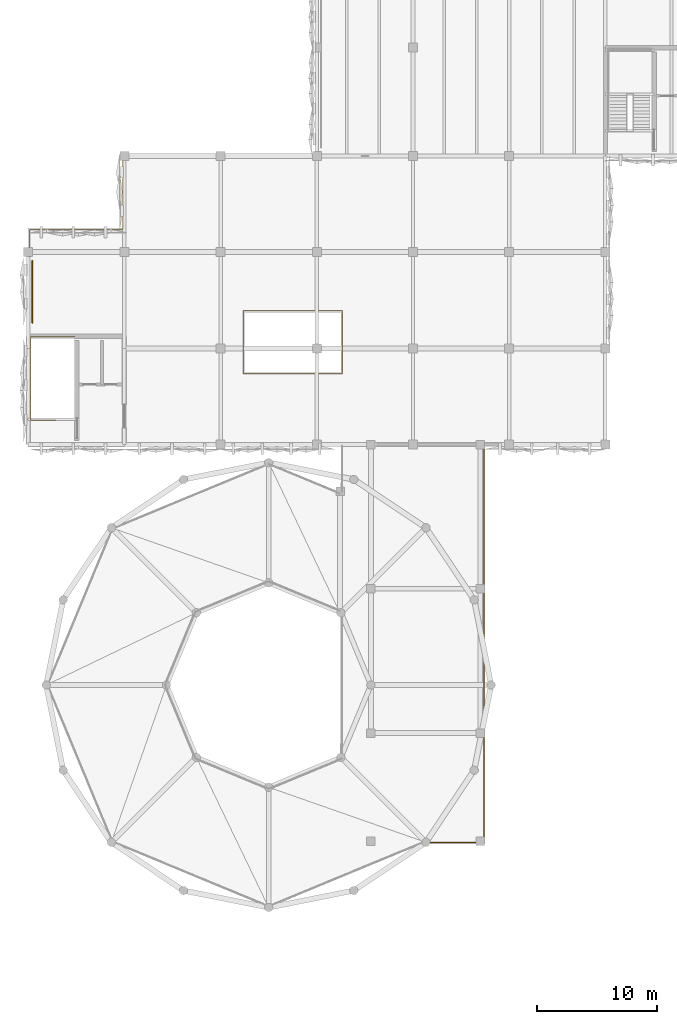
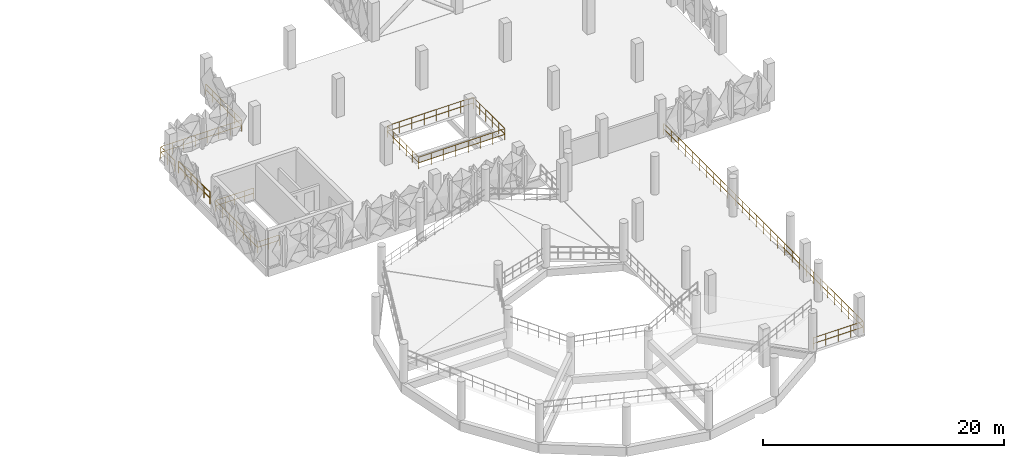
# One storey, part 73 of 83: 5 railings.
"""IFC4 building model written with IfcOpenShell, lengths in metres."""

import ifcopenshell
import ifcopenshell.guid

model = None  # the IFC model being written
_history = None  # IfcOwnerHistory: only IFC2X3 demands one
_inside = {}  # id of a spatial element -> (the spatial element, [elements in it])
_under = {}  # id of a project, library or spatial element -> (it, [spatial elements below it])
_declared = {}  # id of a project -> (the project, [libraries it declares])
_typed = {}  # id of a type object -> (the type object, [elements of that type])
_made_of = {}  # id of a material, layer set ... -> (it, [elements and type objects made of it])


def new_model(schema):
    """Start an empty IFC model of exactly this schema.

    Asked for "IFC4X3", IfcOpenShell would pick the latest addendum, in which some entities
    have other attributes; the version numbers below select the first issue.
    IFC2X3 requires an IfcOwnerHistory on every rooted entity: one is made here for all.
    """
    global model, _history
    if schema == "IFC4X3":
        model = ifcopenshell.file(schema_version=(4, 3, 0, 0))
    else:
        model = ifcopenshell.file(schema=schema)
    _inside.clear()
    _under.clear()
    _declared.clear()
    _typed.clear()
    _made_of.clear()
    _history = None
    if model.schema == "IFC2X3":
        org = make("IfcOrganization", Name="unknown")
        user = make(
            "IfcPersonAndOrganization",
            ThePerson=make("IfcPerson", FamilyName="unknown"),
            TheOrganization=org,
        )
        app = make(
            "IfcApplication",
            ApplicationDeveloper=org,
            Version="unknown",
            ApplicationFullName="unknown",
            ApplicationIdentifier="unknown",
        )
        _history = make(
            "IfcOwnerHistory",
            OwningUser=user,
            OwningApplication=app,
            ChangeAction="ADDED",
            CreationDate=0,
        )
    return model


def make(cls, **values):
    """One entity of the class cls with the attributes given. An attribute that is None is left unset."""
    return model.create_entity(
        cls, **{name: value for name, value in values.items() if value is not None}
    )


def rooted(cls, **values):
    """An entity with a GlobalId (a new one), such as an element, a storey or a relation."""
    return make(cls, GlobalId=ifcopenshell.guid.new(), OwnerHistory=_history, **values)


def si_unit(unit_type, name, prefix=None):
    """IfcSIUnit, for example si_unit("LENGTHUNIT", "METRE", prefix="MILLI")."""
    return make("IfcSIUnit", UnitType=unit_type, Prefix=prefix, Name=name)


def derived_unit(unit_type, elements):
    """IfcDerivedUnit: a product of units, each with its exponent."""
    return make(
        "IfcDerivedUnit",
        Elements=[
            make("IfcDerivedUnitElement", Unit=unit, Exponent=power)
            for unit, power in elements
        ],
        UnitType=unit_type,
    )


def assignment(units):
    """IfcUnitAssignment: the units of a project."""
    return None if units is None else make("IfcUnitAssignment", Units=units)


def point(xyz):
    """IfcCartesianPoint."""
    return None if xyz is None else make("IfcCartesianPoint", Coordinates=xyz)


def direction(xyz):
    """IfcDirection."""
    return None if xyz is None else make("IfcDirection", DirectionRatios=xyz)


def frame(location, z_axis=None, x_axis=None):
    """IfcAxis2Placement3D, a coordinate frame: its origin and axes. An axis left out is left unset."""
    return make(
        "IfcAxis2Placement3D",
        Location=point(location),
        Axis=direction(z_axis),
        RefDirection=direction(x_axis),
    )


def frame_2d(location, x_axis=None):
    """IfcAxis2Placement2D, a coordinate frame in the plane: its origin and x axis."""
    return make(
        "IfcAxis2Placement2D", Location=point(location), RefDirection=direction(x_axis)
    )


def origin():
    """The frame at (0, 0, 0) with its axes left unset."""
    return frame((0.0, 0.0, 0.0))


def origin_2d():
    """The frame at (0, 0) in the plane with its x axis left unset."""
    return frame_2d((0.0, 0.0))


def place(relative_to, where):
    """IfcLocalPlacement: puts the frame where relative to a parent placement (None: the world)."""
    return make(
        "IfcLocalPlacement", PlacementRelTo=relative_to, RelativePlacement=where
    )


def context(
    kind, dimensions, precision=None, world=None, true_north=None, identifier=None
):
    """IfcGeometricRepresentationContext, for example the 3D "Model" context."""
    return make(
        "IfcGeometricRepresentationContext",
        ContextIdentifier=identifier,
        ContextType=kind,
        CoordinateSpaceDimension=dimensions,
        Precision=precision,
        WorldCoordinateSystem=world,
        TrueNorth=true_north,
    )


def subcontext(parent, identifier, kind, view, scale=None):
    """IfcGeometricRepresentationSubContext, for example "Body" below "Model"."""
    return make(
        "IfcGeometricRepresentationSubContext",
        ContextIdentifier=identifier,
        ContextType=kind,
        ParentContext=parent,
        TargetScale=scale,
        TargetView=view,
    )


def project(units=None, contexts=None):
    """IfcProject with its units and contexts."""
    return rooted(
        "IfcProject",
        Name="project",
        RepresentationContexts=contexts,
        UnitsInContext=assignment(units),
    )


def spatial(cls, under=None, at=None, **own):
    """A site, building, storey or space (cls), placed at a placement, below another one or the project."""
    s = rooted(cls, ObjectPlacement=at, **own)
    if under is not None:
        _under.setdefault(under.id(), (under, []))[1].append(s)
    return s


def profile(cls, at=None, kind="AREA", **sizes):
    """A parametric profile (cls). Its sizes go by their IFC names, for example OverallWidth=200.0."""
    return make(cls, ProfileType=kind, Position=at, **sizes)


def circle(**sizes):
    """IfcCircleProfileDef."""
    return profile("IfcCircleProfileDef", **sizes)


def extrude(swept, where, along, depth):
    """IfcExtrudedAreaSolid: the profile swept, set in the frame where, extruded along a direction by depth."""
    return make(
        "IfcExtrudedAreaSolid",
        SweptArea=swept,
        Position=where,
        ExtrudedDirection=direction(along),
        Depth=depth,
    )


def shape(context_of_items, identifier, shape_type, items):
    """IfcShapeRepresentation: the items that make up one representation, for example the "Body"."""
    return make(
        "IfcShapeRepresentation",
        ContextOfItems=context_of_items,
        RepresentationIdentifier=identifier,
        RepresentationType=shape_type,
        Items=items,
    )


def material(Name=None, Category=None):
    """IfcMaterial."""
    return make("IfcMaterial", Name=Name, Category=Category)


def made_of(thing, what):
    """Note that an element or type object is made of a material, layer set ...; save() writes the relation."""
    if what is not None:
        _made_of.setdefault(what.id(), (what, []))[1].append(thing)
    return thing


def type_object(cls, material=None, **own):
    """A type object (cls), such as IfcWallType, which elements share."""
    return made_of(rooted(cls, **own), material)


def element(
    cls,
    number,
    at=None,
    inside=None,
    cuts=None,
    type_object=None,
    material=None,
    context=None,
    identifier="Body",
    shape_type=None,
    held_by="IfcProductDefinitionShape",
    body=None,
    shapes=None,
    **own,
):
    """One element of the class cls, such as IfcWall. Its Tag is "e" and its number.

    at: its placement. inside: the storey or other place that contains it. cuts: it is an
    opening in that element (IfcRelVoidsElement). A single representation is given by context,
    identifier, shape_type and body (its items); several are given by shapes. held_by: the class
    of the entity that holds the representations. save() writes the other relations.
    """
    e = rooted(cls, Tag="e%d" % number, ObjectPlacement=at, **own)
    if body is not None:
        shapes = [shape(context, identifier, shape_type, body)]
    if shapes is not None:
        e.Representation = make(held_by, Representations=shapes)
    if inside is not None:
        _inside.setdefault(inside.id(), (inside, []))[1].append(e)
    if cuts is not None:
        rooted(
            "IfcRelVoidsElement", RelatingBuildingElement=cuts, RelatedOpeningElement=e
        )
    if type_object is not None:
        _typed.setdefault(type_object.id(), (type_object, []))[1].append(e)
    return made_of(e, material)


def aggregate(whole, parts):
    """IfcRelAggregates: a whole, such as a stair, and the parts it consists of."""
    return rooted("IfcRelAggregates", RelatingObject=whole, RelatedObjects=parts)


def save(model, path):
    """Write the relations noted so far, then the file.

    IfcRelAggregates (storeys below a building ...), IfcRelContainedInSpatialStructure (elements
    in a storey), IfcRelDefinesByType, IfcRelAssociatesMaterial and IfcRelDeclares: one each for
    every whole, place, type object, material and project.
    """
    for whole, parts in _under.values():
        aggregate(whole, parts)
    for where, things in _inside.values():
        rooted(
            "IfcRelContainedInSpatialStructure",
            RelatedElements=things,
            RelatingStructure=where,
        )
    for kind, things in _typed.values():
        rooted("IfcRelDefinesByType", RelatedObjects=things, RelatingType=kind)
    for what, things in _made_of.values():
        rooted("IfcRelAssociatesMaterial", RelatedObjects=things, RelatingMaterial=what)
    for by, libraries in _declared.values():
        rooted("IfcRelDeclares", RelatingContext=by, RelatedDefinitions=libraries)
    model.write(path)


model = new_model("IFC4")

# Units and contexts
model_context = context("Model", 3, precision=1e-05, world=origin(), true_north=direction((0.0, 1.0)))
body_context = subcontext(model_context, "Body", "Model", "MODEL_VIEW")
ifc_project = project(units=[si_unit("LENGTHUNIT", "METRE"), si_unit("AREAUNIT", "SQUARE_METRE"), si_unit("VOLUMEUNIT", "CUBIC_METRE"), si_unit("PLANEANGLEUNIT", "RADIAN"), si_unit("MASSUNIT", "GRAM", prefix="KILO"), si_unit("THERMODYNAMICTEMPERATUREUNIT", "KELVIN"), derived_unit("THERMALTRANSMITTANCEUNIT", [(si_unit("POWERUNIT", "WATT"), 1), (si_unit("AREAUNIT", "SQUARE_METRE"), -1), (si_unit("THERMODYNAMICTEMPERATUREUNIT", "KELVIN"), -1)])], contexts=[model_context])

# Site, building, storey
site_placement = place(None, origin())
site = spatial("IfcSite", under=ifc_project, at=site_placement, CompositionType="ELEMENT")
building_placement = place(site_placement, origin())
building = spatial("IfcBuilding", under=site, at=building_placement, Name="Haiyu Intermodal Mobility Hub", CompositionType="ELEMENT")
storey_placement = place(building_placement, frame((0.0, 0.0, 13.39990234375)))
storey = spatial("IfcBuildingStorey", under=building, at=storey_placement, Name="L03", CompositionType="ELEMENT", Elevation=13.39990234375)

# Railings
ifc_material = material(Name="Steel Q355C", Category="steel")
railing_type_1 = type_object("IfcRailingType", Name="RAL-GR01", PredefinedType="GUARDRAIL", material=ifc_material)
railing_1_placement = place(storey_placement, frame((47.10009765625, 46.89990234375, 0.0)))
element("IfcRailing", 1, at=railing_1_placement, inside=storey, type_object=railing_type_1, Name="L03 Ramp Arrival Deck South-East Guard", PredefinedType="GUARDRAIL", context=body_context, shape_type="SweptSolid", body=[
    extrude(circle(Radius=0.02392578125, at=origin_2d()), frame((0.030029296875, 0.0, 1.17578125), z_axis=(1.0, 0.0, 0.0), x_axis=(0.0, 1.0, 0.0)), (0.0, 0.0, 1.0), 4.73974609375),
    extrude(circle(Radius=0.02392578125, at=origin_2d()), frame((0.037353515625, 0.0, 0.60009765625), z_axis=(1.0, 0.0, 0.0), x_axis=(0.0, 1.0, 0.0)), (0.0, 0.0, 1.0), 1.125244140625),
    extrude(circle(Radius=0.02392578125, at=origin_2d()), frame((1.2373046875, 0.0, 0.60009765625), z_axis=(1.0, 0.0, 0.0), x_axis=(0.0, 1.0, 0.0)), (0.0, 0.0, 1.0), 1.125244140625),
    extrude(circle(Radius=0.02392578125, at=origin_2d()), frame((2.437255859375, 0.0, 0.60009765625), z_axis=(1.0, 0.0, 0.0), x_axis=(0.0, 1.0, 0.0)), (0.0, 0.0, 1.0), 1.125244140625),
    extrude(circle(Radius=0.02392578125, at=origin_2d()), frame((3.63720703125, 0.0, 0.60009765625), z_axis=(1.0, 0.0, 0.0), x_axis=(0.0, 1.0, 0.0)), (0.0, 0.0, 1.0), 1.125244140625),
    extrude(circle(Radius=0.02392578125, at=origin_2d()), frame((4.7998046875, 0.030029296875, 1.17578125), z_axis=(0.0, 1.0, 0.0), x_axis=(-1.0, 0.0, 0.0)), (0.0, 0.0, 1.0), 32.9599609375),
    extrude(circle(Radius=0.02392578125, at=origin_2d()), frame((4.7998046875, 0.037353515625, 0.60009765625), z_axis=(0.0, 1.0, 0.0), x_axis=(-1.0, 0.0, 0.0)), (0.0, 0.0, 1.0), 1.104736328125),
    extrude(circle(Radius=0.02392578125, at=origin_2d()), frame((4.7998046875, 1.216552734375, 0.60009765625), z_axis=(0.0, 1.0, 0.0), x_axis=(-1.0, 0.0, 0.0)), (0.0, 0.0, 1.0), 1.104736328125),
    extrude(circle(Radius=0.02392578125, at=origin_2d()), frame((4.7998046875, 2.395751953125, 0.60009765625), z_axis=(0.0, 1.0, 0.0), x_axis=(-1.0, 0.0, 0.0)), (0.0, 0.0, 1.0), 1.104736328125),
    extrude(circle(Radius=0.02392578125, at=origin_2d()), frame((4.7998046875, 3.5751953125, 0.60009765625), z_axis=(0.0, 1.0, 0.0), x_axis=(-1.0, 0.0, 0.0)), (0.0, 0.0, 1.0), 1.104736328125),
    extrude(circle(Radius=0.02392578125, at=origin_2d()), frame((4.7998046875, 4.75439453125, 0.60009765625), z_axis=(0.0, 1.0, 0.0), x_axis=(-1.0, 0.0, 0.0)), (0.0, 0.0, 1.0), 1.104736328125),
    extrude(circle(Radius=0.02392578125, at=origin_2d()), frame((4.7998046875, 5.933837890625, 0.60009765625), z_axis=(0.0, 1.0, 0.0), x_axis=(-1.0, 0.0, 0.0)), (0.0, 0.0, 1.0), 1.104736328125),
    extrude(circle(Radius=0.02392578125, at=origin_2d()), frame((4.7998046875, 7.113037109375, 0.60009765625), z_axis=(0.0, 1.0, 0.0), x_axis=(-1.0, 0.0, 0.0)), (0.0, 0.0, 1.0), 1.104736328125),
    extrude(circle(Radius=0.02392578125, at=origin_2d()), frame((4.7998046875, 8.292236328125, 0.60009765625), z_axis=(0.0, 1.0, 0.0), x_axis=(-1.0, 0.0, 0.0)), (0.0, 0.0, 1.0), 1.104736328125),
    extrude(circle(Radius=0.02392578125, at=origin_2d()), frame((4.7998046875, 9.4716796875, 0.60009765625), z_axis=(0.0, 1.0, 0.0), x_axis=(-1.0, 0.0, 0.0)), (0.0, 0.0, 1.0), 1.104736328125),
    extrude(circle(Radius=0.02392578125, at=origin_2d()), frame((4.7998046875, 10.65087890625, 0.60009765625), z_axis=(0.0, 1.0, 0.0), x_axis=(-1.0, 0.0, 0.0)), (0.0, 0.0, 1.0), 1.104736328125),
    extrude(circle(Radius=0.02392578125, at=origin_2d()), frame((4.7998046875, 11.830078125, 0.60009765625), z_axis=(0.0, 1.0, 0.0), x_axis=(-1.0, 0.0, 0.0)), (0.0, 0.0, 1.0), 1.104736328125),
    extrude(circle(Radius=0.02392578125, at=origin_2d()), frame((4.7998046875, 13.009521484375, 0.60009765625), z_axis=(0.0, 1.0, 0.0), x_axis=(-1.0, 0.0, 0.0)), (0.0, 0.0, 1.0), 1.104736328125),
    extrude(circle(Radius=0.02392578125, at=origin_2d()), frame((4.7998046875, 14.188720703125, 0.60009765625), z_axis=(0.0, 1.0, 0.0), x_axis=(-1.0, 0.0, 0.0)), (0.0, 0.0, 1.0), 1.104736328125),
    extrude(circle(Radius=0.02392578125, at=origin_2d()), frame((4.7998046875, 15.367919921875, 0.60009765625), z_axis=(0.0, 1.0, 0.0), x_axis=(-1.0, 0.0, 0.0)), (0.0, 0.0, 1.0), 1.104736328125),
    extrude(circle(Radius=0.02392578125, at=origin_2d()), frame((4.7998046875, 16.54736328125, 0.60009765625), z_axis=(0.0, 1.0, 0.0), x_axis=(-1.0, 0.0, 0.0)), (0.0, 0.0, 1.0), 1.104736328125),
    extrude(circle(Radius=0.02392578125, at=origin_2d()), frame((4.7998046875, 17.7265625, 0.60009765625), z_axis=(0.0, 1.0, 0.0), x_axis=(-1.0, 0.0, 0.0)), (0.0, 0.0, 1.0), 1.104736328125),
    extrude(circle(Radius=0.02392578125, at=origin_2d()), frame((4.7998046875, 18.90576171875, 0.60009765625), z_axis=(0.0, 1.0, 0.0), x_axis=(-1.0, 0.0, 0.0)), (0.0, 0.0, 1.0), 1.104736328125),
    extrude(circle(Radius=0.02392578125, at=origin_2d()), frame((4.7998046875, 20.085205078125, 0.60009765625), z_axis=(0.0, 1.0, 0.0), x_axis=(-1.0, 0.0, 0.0)), (0.0, 0.0, 1.0), 1.104736328125),
    extrude(circle(Radius=0.02392578125, at=origin_2d()), frame((4.7998046875, 21.264404296875, 0.60009765625), z_axis=(0.0, 1.0, 0.0), x_axis=(-1.0, 0.0, 0.0)), (0.0, 0.0, 1.0), 1.104736328125),
    extrude(circle(Radius=0.02392578125, at=origin_2d()), frame((4.7998046875, 22.44384765625, 0.60009765625), z_axis=(0.0, 1.0, 0.0), x_axis=(-1.0, 0.0, 0.0)), (0.0, 0.0, 1.0), 1.104736328125),
    extrude(circle(Radius=0.02392578125, at=origin_2d()), frame((4.7998046875, 23.623046875, 0.60009765625), z_axis=(0.0, 1.0, 0.0), x_axis=(-1.0, 0.0, 0.0)), (0.0, 0.0, 1.0), 1.104736328125),
    extrude(circle(Radius=0.02392578125, at=origin_2d()), frame((4.7998046875, 24.80224609375, 0.60009765625), z_axis=(0.0, 1.0, 0.0), x_axis=(-1.0, 0.0, 0.0)), (0.0, 0.0, 1.0), 1.104736328125),
    extrude(circle(Radius=0.02392578125, at=origin_2d()), frame((4.7998046875, 25.981689453125, 0.60009765625), z_axis=(0.0, 1.0, 0.0), x_axis=(-1.0, 0.0, 0.0)), (0.0, 0.0, 1.0), 1.104736328125),
    extrude(circle(Radius=0.02392578125, at=origin_2d()), frame((4.7998046875, 27.160888671875, 0.60009765625), z_axis=(0.0, 1.0, 0.0), x_axis=(-1.0, 0.0, 0.0)), (0.0, 0.0, 1.0), 1.104736328125),
    extrude(circle(Radius=0.02392578125, at=origin_2d()), frame((4.7998046875, 28.340087890625, 0.60009765625), z_axis=(0.0, 1.0, 0.0), x_axis=(-1.0, 0.0, 0.0)), (0.0, 0.0, 1.0), 1.104736328125),
    extrude(circle(Radius=0.02392578125, at=origin_2d()), frame((4.7998046875, 29.51953125, 0.60009765625), z_axis=(0.0, 1.0, 0.0), x_axis=(-1.0, 0.0, 0.0)), (0.0, 0.0, 1.0), 1.104736328125),
    extrude(circle(Radius=0.02392578125, at=origin_2d()), frame((4.7998046875, 30.69873046875, 0.60009765625), z_axis=(0.0, 1.0, 0.0), x_axis=(-1.0, 0.0, 0.0)), (0.0, 0.0, 1.0), 1.104736328125),
    extrude(circle(Radius=0.02392578125, at=origin_2d()), frame((4.7998046875, 31.8779296875, 0.60009765625), z_axis=(0.0, 1.0, 0.0), x_axis=(-1.0, 0.0, 0.0)), (0.0, 0.0, 1.0), 1.104736328125),
    extrude(circle(Radius=0.02099609375, at=origin_2d()), origin(), (0.0, 0.0, 1.0), 1.143798828125),
    extrude(circle(Radius=0.02099609375, at=origin_2d()), frame((1.199951171875, 0.0, 0.0)), (0.0, 0.0, 1.0), 1.143798828125),
    extrude(circle(Radius=0.02099609375, at=origin_2d()), frame((2.39990234375, 0.0, 0.0)), (0.0, 0.0, 1.0), 1.143798828125),
    extrude(circle(Radius=0.02099609375, at=origin_2d()), frame((3.599853515625, 0.0, 0.0)), (0.0, 0.0, 1.0), 1.143798828125),
    extrude(circle(Radius=0.02099609375, at=origin_2d()), frame((4.7998046875, 0.0, 0.0)), (0.0, 0.0, 1.0), 1.143798828125),
    extrude(circle(Radius=0.02099609375, at=origin_2d()), frame((4.7998046875, 1.17919921875, 0.0)), (0.0, 0.0, 1.0), 1.143798828125),
    extrude(circle(Radius=0.02099609375, at=origin_2d()), frame((4.7998046875, 2.358642578125, 0.0)), (0.0, 0.0, 1.0), 1.143798828125),
    extrude(circle(Radius=0.02099609375, at=origin_2d()), frame((4.7998046875, 3.537841796875, 0.0)), (0.0, 0.0, 1.0), 1.143798828125),
    extrude(circle(Radius=0.02099609375, at=origin_2d()), frame((4.7998046875, 4.717041015625, 0.0)), (0.0, 0.0, 1.0), 1.143798828125),
    extrude(circle(Radius=0.02099609375, at=origin_2d()), frame((4.7998046875, 5.896484375, 0.0)), (0.0, 0.0, 1.0), 1.143798828125),
    extrude(circle(Radius=0.02099609375, at=origin_2d()), frame((4.7998046875, 7.07568359375, 0.0)), (0.0, 0.0, 1.0), 1.143798828125),
    extrude(circle(Radius=0.02099609375, at=origin_2d()), frame((4.7998046875, 8.2548828125, 0.0)), (0.0, 0.0, 1.0), 1.143798828125),
    extrude(circle(Radius=0.02099609375, at=origin_2d()), frame((4.7998046875, 9.434326171875, 0.0)), (0.0, 0.0, 1.0), 1.143798828125),
    extrude(circle(Radius=0.02099609375, at=origin_2d()), frame((4.7998046875, 10.613525390625, 0.0)), (0.0, 0.0, 1.0), 1.143798828125),
    extrude(circle(Radius=0.02099609375, at=origin_2d()), frame((4.7998046875, 11.79296875, 0.0)), (0.0, 0.0, 1.0), 1.143798828125),
    extrude(circle(Radius=0.02099609375, at=origin_2d()), frame((4.7998046875, 12.97216796875, 0.0)), (0.0, 0.0, 1.0), 1.143798828125),
    extrude(circle(Radius=0.02099609375, at=origin_2d()), frame((4.7998046875, 14.1513671875, 0.0)), (0.0, 0.0, 1.0), 1.143798828125),
    extrude(circle(Radius=0.02099609375, at=origin_2d()), frame((4.7998046875, 15.330810546875, 0.0)), (0.0, 0.0, 1.0), 1.143798828125),
    extrude(circle(Radius=0.02099609375, at=origin_2d()), frame((4.7998046875, 16.510009765625, 0.0)), (0.0, 0.0, 1.0), 1.143798828125),
    extrude(circle(Radius=0.02099609375, at=origin_2d()), frame((4.7998046875, 17.689208984375, 0.0)), (0.0, 0.0, 1.0), 1.143798828125),
    extrude(circle(Radius=0.02099609375, at=origin_2d()), frame((4.7998046875, 18.86865234375, 0.0)), (0.0, 0.0, 1.0), 1.143798828125),
    extrude(circle(Radius=0.02099609375, at=origin_2d()), frame((4.7998046875, 20.0478515625, 0.0)), (0.0, 0.0, 1.0), 1.143798828125),
    extrude(circle(Radius=0.02099609375, at=origin_2d()), frame((4.7998046875, 21.22705078125, 0.0)), (0.0, 0.0, 1.0), 1.143798828125),
    extrude(circle(Radius=0.02099609375, at=origin_2d()), frame((4.7998046875, 22.406494140625, 0.0)), (0.0, 0.0, 1.0), 1.143798828125),
    extrude(circle(Radius=0.02099609375, at=origin_2d()), frame((4.7998046875, 23.585693359375, 0.0)), (0.0, 0.0, 1.0), 1.143798828125),
    extrude(circle(Radius=0.02099609375, at=origin_2d()), frame((4.7998046875, 24.76513671875, 0.0)), (0.0, 0.0, 1.0), 1.143798828125),
    extrude(circle(Radius=0.02099609375, at=origin_2d()), frame((4.7998046875, 25.9443359375, 0.0)), (0.0, 0.0, 1.0), 1.143798828125),
    extrude(circle(Radius=0.02099609375, at=origin_2d()), frame((4.7998046875, 27.12353515625, 0.0)), (0.0, 0.0, 1.0), 1.143798828125),
    extrude(circle(Radius=0.02099609375, at=origin_2d()), frame((4.7998046875, 28.302978515625, 0.0)), (0.0, 0.0, 1.0), 1.143798828125),
    extrude(circle(Radius=0.02099609375, at=origin_2d()), frame((4.7998046875, 29.482177734375, 0.0)), (0.0, 0.0, 1.0), 1.143798828125),
    extrude(circle(Radius=0.02099609375, at=origin_2d()), frame((4.7998046875, 30.661376953125, 0.0)), (0.0, 0.0, 1.0), 1.143798828125),
    extrude(circle(Radius=0.02099609375, at=origin_2d()), frame((4.7998046875, 31.8408203125, 0.0)), (0.0, 0.0, 1.0), 1.143798828125),
    extrude(circle(Radius=0.02099609375, at=origin_2d()), frame((4.7998046875, 33.02001953125, 0.0)), (0.0, 0.0, 1.0), 1.143798828125),
])
railing_2_placement = place(storey_placement, frame((14.340087890625, 95.300048828125, 0.0)))
element("IfcRailing", 2, at=railing_2_placement, inside=storey, type_object=railing_type_1, Name="RAL-CAR-WW-0094", PredefinedType="GUARDRAIL", context=body_context, shape_type="SweptSolid", body=[
    extrude(circle(Radius=0.02392578125, at=origin_2d()), frame((0.0, -0.030029296875, 1.17578125), z_axis=(0.0, -1.0, 0.0), x_axis=(1.0, 0.0, 0.0)), (0.0, 0.0, 1.0), 5.139892578125),
    extrude(circle(Radius=0.02392578125, at=origin_2d()), frame((0.0, -0.037353515625, 0.60009765625), z_axis=(0.0, -1.0, 0.0), x_axis=(1.0, 0.0, 0.0)), (0.0, 0.0, 1.0), 0.96533203125),
    extrude(circle(Radius=0.02392578125, at=origin_2d()), frame((0.0, -1.077392578125, 0.60009765625), z_axis=(0.0, -1.0, 0.0), x_axis=(1.0, 0.0, 0.0)), (0.0, 0.0, 1.0), 0.96533203125),
    extrude(circle(Radius=0.02392578125, at=origin_2d()), frame((0.0, -2.1171875, 0.60009765625), z_axis=(0.0, -1.0, 0.0), x_axis=(1.0, 0.0, 0.0)), (0.0, 0.0, 1.0), 0.96533203125),
    extrude(circle(Radius=0.02392578125, at=origin_2d()), frame((0.0, -3.1572265625, 0.60009765625), z_axis=(0.0, -1.0, 0.0), x_axis=(1.0, 0.0, 0.0)), (0.0, 0.0, 1.0), 0.96533203125),
    extrude(circle(Radius=0.02392578125, at=origin_2d()), frame((0.0, -4.197265625, 0.60009765625), z_axis=(0.0, -1.0, 0.0), x_axis=(1.0, 0.0, 0.0)), (0.0, 0.0, 1.0), 0.96533203125),
    extrude(circle(Radius=0.02099609375, at=origin_2d()), origin(), (0.0, 0.0, 1.0), 1.143798828125),
    extrude(circle(Radius=0.02099609375, at=origin_2d()), frame((0.0, -1.0400390625, 0.0)), (0.0, 0.0, 1.0), 1.143798828125),
    extrude(circle(Radius=0.02099609375, at=origin_2d()), frame((0.0, -2.080078125, 0.0)), (0.0, 0.0, 1.0), 1.143798828125),
    extrude(circle(Radius=0.02099609375, at=origin_2d()), frame((0.0, -3.119873046875, 0.0)), (0.0, 0.0, 1.0), 1.143798828125),
    extrude(circle(Radius=0.02099609375, at=origin_2d()), frame((0.0, -4.159912109375, 0.0)), (0.0, 0.0, 1.0), 1.143798828125),
    extrude(circle(Radius=0.02099609375, at=origin_2d()), frame((0.0, -5.199951171875, 0.0)), (0.0, 0.0, 1.0), 1.143798828125),
])
railing_3_placement = place(storey_placement, frame((14.1201171875, 95.60009765625, 0.0)))
element("IfcRailing", 3, at=railing_3_placement, inside=storey, type_object=railing_type_1, Name="RAL-V4WNW-L03", PredefinedType="GUARDRAIL", context=body_context, shape_type="SweptSolid", body=[
    extrude(circle(Radius=0.02392578125, at=origin_2d()), frame((0.0, 0.030029296875, 1.15576171875), z_axis=(0.0, 1.0, 0.0), x_axis=(-1.0, 0.0, 0.0)), (0.0, 0.0, 1.0), 2.2197265625),
    extrude(circle(Radius=0.02392578125, at=origin_2d()), frame((0.0, 0.037353515625, 0.58984375), z_axis=(0.0, 1.0, 0.0), x_axis=(-1.0, 0.0, 0.0)), (0.0, 0.0, 1.0), 1.065185546875),
    extrude(circle(Radius=0.02392578125, at=origin_2d()), frame((0.0, 1.17724609375, 0.58984375), z_axis=(0.0, 1.0, 0.0), x_axis=(-1.0, 0.0, 0.0)), (0.0, 0.0, 1.0), 1.065185546875),
    extrude(circle(Radius=0.02392578125, at=origin_2d()), frame((0.030029296875, 2.27978515625, 1.15576171875), z_axis=(1.0, 0.0, 0.0), x_axis=(0.0, 1.0, 0.0)), (0.0, 0.0, 1.0), 7.69970703125),
    extrude(circle(Radius=0.02392578125, at=origin_2d()), frame((0.037353515625, 2.27978515625, 0.58984375), z_axis=(1.0, 0.0, 0.0), x_axis=(0.0, 1.0, 0.0)), (0.0, 0.0, 1.0), 1.033935546875),
    extrude(circle(Radius=0.02392578125, at=origin_2d()), frame((1.145751953125, 2.27978515625, 0.58984375), z_axis=(1.0, 0.0, 0.0), x_axis=(0.0, 1.0, 0.0)), (0.0, 0.0, 1.0), 1.033935546875),
    extrude(circle(Radius=0.02392578125, at=origin_2d()), frame((2.25439453125, 2.27978515625, 0.58984375), z_axis=(1.0, 0.0, 0.0), x_axis=(0.0, 1.0, 0.0)), (0.0, 0.0, 1.0), 1.033935546875),
    extrude(circle(Radius=0.02392578125, at=origin_2d()), frame((3.36279296875, 2.27978515625, 0.58984375), z_axis=(1.0, 0.0, 0.0), x_axis=(0.0, 1.0, 0.0)), (0.0, 0.0, 1.0), 1.033935546875),
    extrude(circle(Radius=0.02392578125, at=origin_2d()), frame((4.471435546875, 2.27978515625, 0.58984375), z_axis=(1.0, 0.0, 0.0), x_axis=(0.0, 1.0, 0.0)), (0.0, 0.0, 1.0), 1.033935546875),
    extrude(circle(Radius=0.02392578125, at=origin_2d()), frame((5.580078125, 2.27978515625, 0.58984375), z_axis=(1.0, 0.0, 0.0), x_axis=(0.0, 1.0, 0.0)), (0.0, 0.0, 1.0), 1.033935546875),
    extrude(circle(Radius=0.02392578125, at=origin_2d()), frame((6.6884765625, 2.27978515625, 0.58984375), z_axis=(1.0, 0.0, 0.0), x_axis=(0.0, 1.0, 0.0)), (0.0, 0.0, 1.0), 1.033935546875),
    extrude(circle(Radius=0.02392578125, at=origin_2d()), frame((7.759765625, 2.309814453125, 1.15576171875), z_axis=(0.0, 1.0, 0.0), x_axis=(-1.0, 0.0, 0.0)), (0.0, 0.0, 1.0), 5.93994140625),
    extrude(circle(Radius=0.02392578125, at=origin_2d()), frame((7.759765625, 2.317138671875, 0.58984375), z_axis=(0.0, 1.0, 0.0), x_axis=(-1.0, 0.0, 0.0)), (0.0, 0.0, 1.0), 1.12548828125),
    extrude(circle(Radius=0.02392578125, at=origin_2d()), frame((7.759765625, 3.51708984375, 0.58984375), z_axis=(0.0, 1.0, 0.0), x_axis=(-1.0, 0.0, 0.0)), (0.0, 0.0, 1.0), 1.12548828125),
    extrude(circle(Radius=0.02392578125, at=origin_2d()), frame((7.759765625, 4.717041015625, 0.58984375), z_axis=(0.0, 1.0, 0.0), x_axis=(-1.0, 0.0, 0.0)), (0.0, 0.0, 1.0), 1.12548828125),
    extrude(circle(Radius=0.02392578125, at=origin_2d()), frame((7.759765625, 5.9169921875, 0.58984375), z_axis=(0.0, 1.0, 0.0), x_axis=(-1.0, 0.0, 0.0)), (0.0, 0.0, 1.0), 1.12548828125),
    extrude(circle(Radius=0.02392578125, at=origin_2d()), frame((7.759765625, 7.1171875, 0.58984375), z_axis=(0.0, 1.0, 0.0), x_axis=(-1.0, 0.0, 0.0)), (0.0, 0.0, 1.0), 1.12548828125),
    extrude(circle(Radius=0.02099609375, at=origin_2d()), origin(), (0.0, 0.0, 1.0), 1.123779296875),
    extrude(circle(Radius=0.02099609375, at=origin_2d()), frame((0.0, 1.139892578125, 0.0)), (0.0, 0.0, 1.0), 1.123779296875),
    extrude(circle(Radius=0.02099609375, at=origin_2d()), frame((0.0, 2.27978515625, 0.0)), (0.0, 0.0, 1.0), 1.123779296875),
    extrude(circle(Radius=0.02099609375, at=origin_2d()), frame((1.108642578125, 2.27978515625, 0.0)), (0.0, 0.0, 1.0), 1.123779296875),
    extrude(circle(Radius=0.02099609375, at=origin_2d()), frame((2.217041015625, 2.27978515625, 0.0)), (0.0, 0.0, 1.0), 1.123779296875),
    extrude(circle(Radius=0.02099609375, at=origin_2d()), frame((3.32568359375, 2.27978515625, 0.0)), (0.0, 0.0, 1.0), 1.123779296875),
    extrude(circle(Radius=0.02099609375, at=origin_2d()), frame((4.43408203125, 2.27978515625, 0.0)), (0.0, 0.0, 1.0), 1.123779296875),
    extrude(circle(Radius=0.02099609375, at=origin_2d()), frame((5.542724609375, 2.27978515625, 0.0)), (0.0, 0.0, 1.0), 1.123779296875),
    extrude(circle(Radius=0.02099609375, at=origin_2d()), frame((6.651123046875, 2.27978515625, 0.0)), (0.0, 0.0, 1.0), 1.123779296875),
    extrude(circle(Radius=0.02099609375, at=origin_2d()), frame((7.759765625, 2.27978515625, 0.0)), (0.0, 0.0, 1.0), 1.123779296875),
    extrude(circle(Radius=0.02099609375, at=origin_2d()), frame((7.759765625, 3.479736328125, 0.0)), (0.0, 0.0, 1.0), 1.123779296875),
    extrude(circle(Radius=0.02099609375, at=origin_2d()), frame((7.759765625, 4.6796875, 0.0)), (0.0, 0.0, 1.0), 1.123779296875),
    extrude(circle(Radius=0.02099609375, at=origin_2d()), frame((7.759765625, 5.8798828125, 0.0)), (0.0, 0.0, 1.0), 1.123779296875),
    extrude(circle(Radius=0.02099609375, at=origin_2d()), frame((7.759765625, 7.079833984375, 0.0)), (0.0, 0.0, 1.0), 1.123779296875),
    extrude(circle(Radius=0.02099609375, at=origin_2d()), frame((7.759765625, 8.27978515625, 0.0)), (0.0, 0.0, 1.0), 1.123779296875),
])
railing_4_placement = place(storey_placement, frame((31.8798828125, 85.8798828125, 0.0)))
element("IfcRailing", 4, at=railing_4_placement, inside=storey, type_object=railing_type_1, Name="RAL-V4WVOID-L03", PredefinedType="GUARDRAIL", context=body_context, shape_type="SweptSolid", body=[
    extrude(circle(Radius=0.02392578125, at=origin_2d()), frame((0.030029296875, 0.0, 1.15576171875), z_axis=(1.0, 0.0, 0.0), x_axis=(0.0, 1.0, 0.0)), (0.0, 0.0, 1.0), 8.18017578125),
    extrude(circle(Radius=0.02392578125, at=origin_2d()), frame((0.037353515625, 0.0, 0.58984375), z_axis=(1.0, 0.0, 0.0), x_axis=(0.0, 1.0, 0.0)), (0.0, 0.0, 1.0), 1.1025390625),
    extrude(circle(Radius=0.02392578125, at=origin_2d()), frame((1.21435546875, 0.0, 0.58984375), z_axis=(1.0, 0.0, 0.0), x_axis=(0.0, 1.0, 0.0)), (0.0, 0.0, 1.0), 1.1025390625),
    extrude(circle(Radius=0.02392578125, at=origin_2d()), frame((2.3916015625, 0.0, 0.58984375), z_axis=(1.0, 0.0, 0.0), x_axis=(0.0, 1.0, 0.0)), (0.0, 0.0, 1.0), 1.1025390625),
    extrude(circle(Radius=0.02392578125, at=origin_2d()), frame((3.56884765625, 0.0, 0.58984375), z_axis=(1.0, 0.0, 0.0), x_axis=(0.0, 1.0, 0.0)), (0.0, 0.0, 1.0), 1.1025390625),
    extrude(circle(Radius=0.02392578125, at=origin_2d()), frame((4.74609375, 0.0, 0.58984375), z_axis=(1.0, 0.0, 0.0), x_axis=(0.0, 1.0, 0.0)), (0.0, 0.0, 1.0), 1.1025390625),
    extrude(circle(Radius=0.02392578125, at=origin_2d()), frame((5.923095703125, 0.0, 0.58984375), z_axis=(1.0, 0.0, 0.0), x_axis=(0.0, 1.0, 0.0)), (0.0, 0.0, 1.0), 1.1025390625),
    extrude(circle(Radius=0.02392578125, at=origin_2d()), frame((7.100341796875, 0.0, 0.58984375), z_axis=(1.0, 0.0, 0.0), x_axis=(0.0, 1.0, 0.0)), (0.0, 0.0, 1.0), 1.1025390625),
    extrude(circle(Radius=0.02392578125, at=origin_2d()), frame((8.240234375, 0.030029296875, 1.15576171875), z_axis=(0.0, 1.0, 0.0), x_axis=(-1.0, 0.0, 0.0)), (0.0, 0.0, 1.0), 5.18017578125),
    extrude(circle(Radius=0.02392578125, at=origin_2d()), frame((8.240234375, 0.037353515625, 0.58984375), z_axis=(0.0, 1.0, 0.0), x_axis=(-1.0, 0.0, 0.0)), (0.0, 0.0, 1.0), 0.973388671875),
    extrude(circle(Radius=0.02392578125, at=origin_2d()), frame((8.240234375, 1.08544921875, 0.58984375), z_axis=(0.0, 1.0, 0.0), x_axis=(-1.0, 0.0, 0.0)), (0.0, 0.0, 1.0), 0.973388671875),
    extrude(circle(Radius=0.02392578125, at=origin_2d()), frame((8.240234375, 2.13330078125, 0.58984375), z_axis=(0.0, 1.0, 0.0), x_axis=(-1.0, 0.0, 0.0)), (0.0, 0.0, 1.0), 0.973388671875),
    extrude(circle(Radius=0.02392578125, at=origin_2d()), frame((8.240234375, 3.181396484375, 0.58984375), z_axis=(0.0, 1.0, 0.0), x_axis=(-1.0, 0.0, 0.0)), (0.0, 0.0, 1.0), 0.973388671875),
    extrude(circle(Radius=0.02392578125, at=origin_2d()), frame((8.240234375, 4.2294921875, 0.58984375), z_axis=(0.0, 1.0, 0.0), x_axis=(-1.0, 0.0, 0.0)), (0.0, 0.0, 1.0), 0.973388671875),
    extrude(circle(Radius=0.02392578125, at=origin_2d()), frame((8.210205078125, 5.240234375, 1.15576171875), z_axis=(-1.0, 0.0, 0.0), x_axis=(0.0, -1.0, 0.0)), (0.0, 0.0, 1.0), 8.18017578125),
    extrude(circle(Radius=0.02392578125, at=origin_2d()), frame((8.202880859375, 5.240234375, 0.58984375), z_axis=(-1.0, 0.0, 0.0), x_axis=(0.0, -1.0, 0.0)), (0.0, 0.0, 1.0), 1.1025390625),
    extrude(circle(Radius=0.02392578125, at=origin_2d()), frame((7.02587890625, 5.240234375, 0.58984375), z_axis=(-1.0, 0.0, 0.0), x_axis=(0.0, -1.0, 0.0)), (0.0, 0.0, 1.0), 1.1025390625),
    extrude(circle(Radius=0.02392578125, at=origin_2d()), frame((5.8486328125, 5.240234375, 0.58984375), z_axis=(-1.0, 0.0, 0.0), x_axis=(0.0, -1.0, 0.0)), (0.0, 0.0, 1.0), 1.1025390625),
    extrude(circle(Radius=0.02392578125, at=origin_2d()), frame((4.67138671875, 5.240234375, 0.58984375), z_axis=(-1.0, 0.0, 0.0), x_axis=(0.0, -1.0, 0.0)), (0.0, 0.0, 1.0), 1.1025390625),
    extrude(circle(Radius=0.02392578125, at=origin_2d()), frame((3.494140625, 5.240234375, 0.58984375), z_axis=(-1.0, 0.0, 0.0), x_axis=(0.0, -1.0, 0.0)), (0.0, 0.0, 1.0), 1.1025390625),
    extrude(circle(Radius=0.02392578125, at=origin_2d()), frame((2.317138671875, 5.240234375, 0.58984375), z_axis=(-1.0, 0.0, 0.0), x_axis=(0.0, -1.0, 0.0)), (0.0, 0.0, 1.0), 1.1025390625),
    extrude(circle(Radius=0.02392578125, at=origin_2d()), frame((1.139892578125, 5.240234375, 0.58984375), z_axis=(-1.0, 0.0, 0.0), x_axis=(0.0, -1.0, 0.0)), (0.0, 0.0, 1.0), 1.1025390625),
    extrude(circle(Radius=0.02392578125, at=origin_2d()), frame((0.0, 5.210205078125, 1.15576171875), z_axis=(0.0, -1.0, 0.0), x_axis=(1.0, 0.0, 0.0)), (0.0, 0.0, 1.0), 5.18017578125),
    extrude(circle(Radius=0.02392578125, at=origin_2d()), frame((0.0, 5.202880859375, 0.58984375), z_axis=(0.0, -1.0, 0.0), x_axis=(1.0, 0.0, 0.0)), (0.0, 0.0, 1.0), 0.973388671875),
    extrude(circle(Radius=0.02392578125, at=origin_2d()), frame((0.0, 4.15478515625, 0.58984375), z_axis=(0.0, -1.0, 0.0), x_axis=(1.0, 0.0, 0.0)), (0.0, 0.0, 1.0), 0.973388671875),
    extrude(circle(Radius=0.02392578125, at=origin_2d()), frame((0.0, 3.10693359375, 0.58984375), z_axis=(0.0, -1.0, 0.0), x_axis=(1.0, 0.0, 0.0)), (0.0, 0.0, 1.0), 0.973388671875),
    extrude(circle(Radius=0.02392578125, at=origin_2d()), frame((0.0, 2.058837890625, 0.58984375), z_axis=(0.0, -1.0, 0.0), x_axis=(1.0, 0.0, 0.0)), (0.0, 0.0, 1.0), 0.973388671875),
    extrude(circle(Radius=0.02392578125, at=origin_2d()), frame((0.0, 1.0107421875, 0.58984375), z_axis=(0.0, -1.0, 0.0), x_axis=(1.0, 0.0, 0.0)), (0.0, 0.0, 1.0), 0.973388671875),
    extrude(circle(Radius=0.02099609375, at=origin_2d()), origin(), (0.0, 0.0, 1.0), 1.123779296875),
    extrude(circle(Radius=0.02099609375, at=origin_2d()), frame((1.17724609375, 0.0, 0.0)), (0.0, 0.0, 1.0), 1.123779296875),
    extrude(circle(Radius=0.02099609375, at=origin_2d()), frame((2.354248046875, 0.0, 0.0)), (0.0, 0.0, 1.0), 1.123779296875),
    extrude(circle(Radius=0.02099609375, at=origin_2d()), frame((3.531494140625, 0.0, 0.0)), (0.0, 0.0, 1.0), 1.123779296875),
    extrude(circle(Radius=0.02099609375, at=origin_2d()), frame((4.708740234375, 0.0, 0.0)), (0.0, 0.0, 1.0), 1.123779296875),
    extrude(circle(Radius=0.02099609375, at=origin_2d()), frame((5.885986328125, 0.0, 0.0)), (0.0, 0.0, 1.0), 1.123779296875),
    extrude(circle(Radius=0.02099609375, at=origin_2d()), frame((7.06298828125, 0.0, 0.0)), (0.0, 0.0, 1.0), 1.123779296875),
    extrude(circle(Radius=0.02099609375, at=origin_2d()), frame((8.240234375, 0.0, 0.0)), (0.0, 0.0, 1.0), 1.123779296875),
    extrude(circle(Radius=0.02099609375, at=origin_2d()), frame((8.240234375, 1.048095703125, 0.0)), (0.0, 0.0, 1.0), 1.123779296875),
    extrude(circle(Radius=0.02099609375, at=origin_2d()), frame((8.240234375, 2.09619140625, 0.0)), (0.0, 0.0, 1.0), 1.123779296875),
    extrude(circle(Radius=0.02099609375, at=origin_2d()), frame((8.240234375, 3.14404296875, 0.0)), (0.0, 0.0, 1.0), 1.123779296875),
    extrude(circle(Radius=0.02099609375, at=origin_2d()), frame((8.240234375, 4.192138671875, 0.0)), (0.0, 0.0, 1.0), 1.123779296875),
    extrude(circle(Radius=0.02099609375, at=origin_2d()), frame((8.240234375, 5.240234375, 0.0)), (0.0, 0.0, 1.0), 1.123779296875),
    extrude(circle(Radius=0.02099609375, at=origin_2d()), frame((7.06298828125, 5.240234375, 0.0)), (0.0, 0.0, 1.0), 1.123779296875),
    extrude(circle(Radius=0.02099609375, at=origin_2d()), frame((5.885986328125, 5.240234375, 0.0)), (0.0, 0.0, 1.0), 1.123779296875),
    extrude(circle(Radius=0.02099609375, at=origin_2d()), frame((4.708740234375, 5.240234375, 0.0)), (0.0, 0.0, 1.0), 1.123779296875),
    extrude(circle(Radius=0.02099609375, at=origin_2d()), frame((3.531494140625, 5.240234375, 0.0)), (0.0, 0.0, 1.0), 1.123779296875),
    extrude(circle(Radius=0.02099609375, at=origin_2d()), frame((2.354248046875, 5.240234375, 0.0)), (0.0, 0.0, 1.0), 1.123779296875),
    extrude(circle(Radius=0.02099609375, at=origin_2d()), frame((1.17724609375, 5.240234375, 0.0)), (0.0, 0.0, 1.0), 1.123779296875),
    extrude(circle(Radius=0.02099609375, at=origin_2d()), frame((0.0, 5.240234375, 0.0)), (0.0, 0.0, 1.0), 1.123779296875),
    extrude(circle(Radius=0.02099609375, at=origin_2d()), frame((0.0, 4.192138671875, 0.0)), (0.0, 0.0, 1.0), 1.123779296875),
    extrude(circle(Radius=0.02099609375, at=origin_2d()), frame((0.0, 3.14404296875, 0.0)), (0.0, 0.0, 1.0), 1.123779296875),
    extrude(circle(Radius=0.02099609375, at=origin_2d()), frame((0.0, 2.09619140625, 0.0)), (0.0, 0.0, 1.0), 1.123779296875),
    extrude(circle(Radius=0.02099609375, at=origin_2d()), frame((0.0, 1.048095703125, 0.0)), (0.0, 0.0, 1.0), 1.123779296875),
])
railing_type_2 = type_object("IfcRailingType", Name="RAL-GR03", PredefinedType="GUARDRAIL", material=ifc_material)
railing_5_placement = place(storey_placement, frame((16.31005859375, 82.010009765625, 0.0)))
element("IfcRailing", 5, at=railing_5_placement, inside=storey, type_object=railing_type_2, Name="Stair Shaft Floor Guard STR-C7-L02", PredefinedType="GUARDRAIL", context=body_context, shape_type="SweptSolid", body=[
    extrude(circle(Radius=0.02392578125, at=origin_2d()), frame((-0.030029296875, 0.0, 1.09619140625), z_axis=(-1.0, 0.0, 0.0), x_axis=(0.0, -1.0, 0.0)), (0.0, 0.0, 1.0), 2.030029296875),
    extrude(circle(Radius=0.02392578125, at=origin_2d()), frame((-0.037353515625, 0.0, 0.56005859375), z_axis=(-1.0, 0.0, 0.0), x_axis=(0.0, -1.0, 0.0)), (0.0, 0.0, 1.0), 0.970458984375),
    extrude(circle(Radius=0.02392578125, at=origin_2d()), frame((-1.082275390625, 0.0, 0.56005859375), z_axis=(-1.0, 0.0, 0.0), x_axis=(0.0, -1.0, 0.0)), (0.0, 0.0, 1.0), 0.970458984375),
    extrude(circle(Radius=0.02392578125, at=origin_2d()), frame((-2.090087890625, 0.030029296875, 1.09619140625), z_axis=(0.0, 1.0, 0.0), x_axis=(-1.0, 0.0, 0.0)), (0.0, 0.0, 1.0), 6.8798828125),
    extrude(circle(Radius=0.02392578125, at=origin_2d()), frame((-2.090087890625, 0.037353515625, 0.56005859375), z_axis=(0.0, 1.0, 0.0), x_axis=(-1.0, 0.0, 0.0)), (0.0, 0.0, 1.0), 1.08203125),
    extrude(circle(Radius=0.02392578125, at=origin_2d()), frame((-2.090087890625, 1.19384765625, 0.56005859375), z_axis=(0.0, 1.0, 0.0), x_axis=(-1.0, 0.0, 0.0)), (0.0, 0.0, 1.0), 1.08203125),
    extrude(circle(Radius=0.02392578125, at=origin_2d()), frame((-2.090087890625, 2.3505859375, 0.56005859375), z_axis=(0.0, 1.0, 0.0), x_axis=(-1.0, 0.0, 0.0)), (0.0, 0.0, 1.0), 1.08203125),
    extrude(circle(Radius=0.02392578125, at=origin_2d()), frame((-2.090087890625, 3.50732421875, 0.56005859375), z_axis=(0.0, 1.0, 0.0), x_axis=(-1.0, 0.0, 0.0)), (0.0, 0.0, 1.0), 1.08203125),
    extrude(circle(Radius=0.02392578125, at=origin_2d()), frame((-2.090087890625, 4.663818359375, 0.56005859375), z_axis=(0.0, 1.0, 0.0), x_axis=(-1.0, 0.0, 0.0)), (0.0, 0.0, 1.0), 1.08203125),
    extrude(circle(Radius=0.02392578125, at=origin_2d()), frame((-2.090087890625, 5.820556640625, 0.56005859375), z_axis=(0.0, 1.0, 0.0), x_axis=(-1.0, 0.0, 0.0)), (0.0, 0.0, 1.0), 1.08203125),
    extrude(circle(Radius=0.02392578125, at=origin_2d()), frame((-2.06005859375, 6.93994140625, 1.09619140625), z_axis=(1.0, 0.0, 0.0), x_axis=(0.0, 1.0, 0.0)), (0.0, 0.0, 1.0), 3.590087890625),
    extrude(circle(Radius=0.02392578125, at=origin_2d()), frame((-2.052734375, 6.93994140625, 0.56005859375), z_axis=(1.0, 0.0, 0.0), x_axis=(0.0, 1.0, 0.0)), (0.0, 0.0, 1.0), 0.837890625),
    extrude(circle(Radius=0.02392578125, at=origin_2d()), frame((-1.14013671875, 6.93994140625, 0.56005859375), z_axis=(1.0, 0.0, 0.0), x_axis=(0.0, 1.0, 0.0)), (0.0, 0.0, 1.0), 0.837890625),
    extrude(circle(Radius=0.02392578125, at=origin_2d()), frame((-0.227783203125, 6.93994140625, 0.56005859375), z_axis=(1.0, 0.0, 0.0), x_axis=(0.0, 1.0, 0.0)), (0.0, 0.0, 1.0), 0.837890625),
    extrude(circle(Radius=0.02392578125, at=origin_2d()), frame((0.684814453125, 6.93994140625, 0.56005859375), z_axis=(1.0, 0.0, 0.0), x_axis=(0.0, 1.0, 0.0)), (0.0, 0.0, 1.0), 0.837890625),
    extrude(circle(Radius=0.02099609375, at=origin_2d()), origin(), (0.0, 0.0, 1.0), 1.06396484375),
    extrude(circle(Radius=0.02099609375, at=origin_2d()), frame((-1.044921875, 0.0, 0.0)), (0.0, 0.0, 1.0), 1.06396484375),
    extrude(circle(Radius=0.02099609375, at=origin_2d()), frame((-2.090087890625, 0.0, 0.0)), (0.0, 0.0, 1.0), 1.06396484375),
    extrude(circle(Radius=0.02099609375, at=origin_2d()), frame((-2.090087890625, 1.15673828125, 0.0)), (0.0, 0.0, 1.0), 1.06396484375),
    extrude(circle(Radius=0.02099609375, at=origin_2d()), frame((-2.090087890625, 2.313232421875, 0.0)), (0.0, 0.0, 1.0), 1.06396484375),
    extrude(circle(Radius=0.02099609375, at=origin_2d()), frame((-2.090087890625, 3.469970703125, 0.0)), (0.0, 0.0, 1.0), 1.06396484375),
    extrude(circle(Radius=0.02099609375, at=origin_2d()), frame((-2.090087890625, 4.626708984375, 0.0)), (0.0, 0.0, 1.0), 1.06396484375),
    extrude(circle(Radius=0.02099609375, at=origin_2d()), frame((-2.090087890625, 5.783203125, 0.0)), (0.0, 0.0, 1.0), 1.06396484375),
    extrude(circle(Radius=0.02099609375, at=origin_2d()), frame((-2.090087890625, 6.93994140625, 0.0)), (0.0, 0.0, 1.0), 1.06396484375),
    extrude(circle(Radius=0.02099609375, at=origin_2d()), frame((-1.177490234375, 6.93994140625, 0.0)), (0.0, 0.0, 1.0), 1.06396484375),
    extrude(circle(Radius=0.02099609375, at=origin_2d()), frame((-0.26513671875, 6.93994140625, 0.0)), (0.0, 0.0, 1.0), 1.06396484375),
    extrude(circle(Radius=0.02099609375, at=origin_2d()), frame((0.6474609375, 6.93994140625, 0.0)), (0.0, 0.0, 1.0), 1.06396484375),
    extrude(circle(Radius=0.02099609375, at=origin_2d()), frame((1.56005859375, 6.93994140625, 0.0)), (0.0, 0.0, 1.0), 1.06396484375),
])

save(model, "model.ifc")
